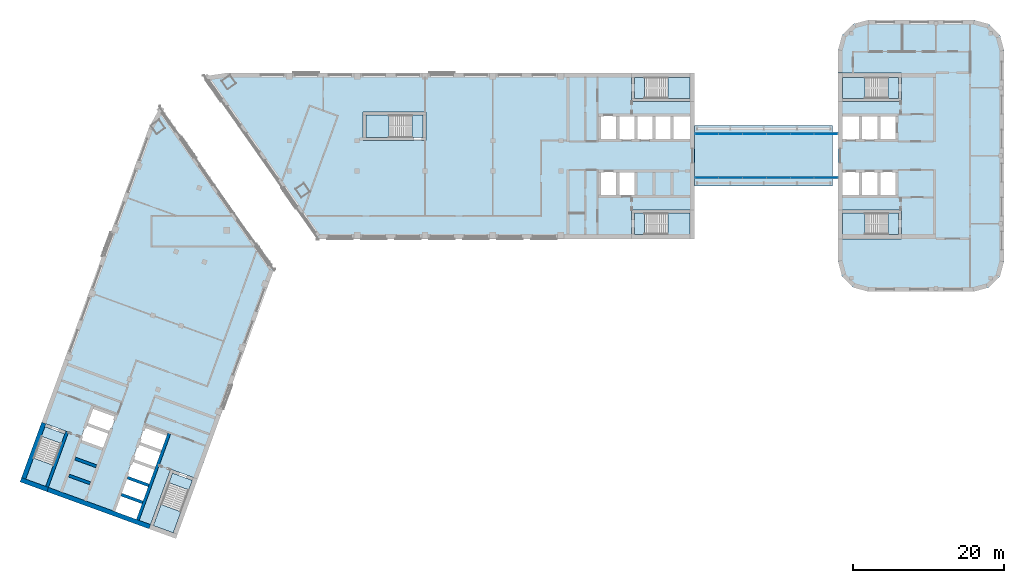
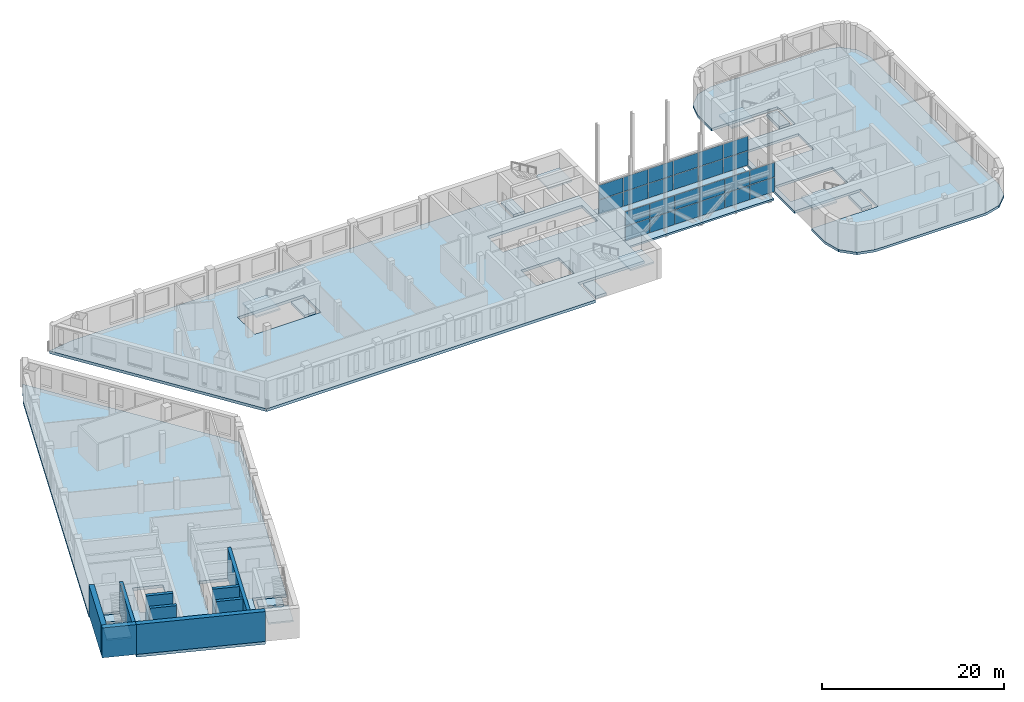
# One storey, part 3 of 11: 24 plates, 18 slabs, 9 walls, 9 elements without a shape of their own.
"""IFC4 building model written with IfcOpenShell, lengths in metres."""

from ifc_helpers import new_model, si_unit, direction, frame, frame_2d, origin, origin_2d, place, context, subcontext, project, spatial, polyline, rectangle, outline, extrude, material, layer, layer_set, type_object, element, aggregate, save


model = new_model("IFC4")

# Units and contexts
model_context = context("Model", 3, precision=1e-05, world=origin(), true_north=direction((0.0, 1.0)))
body_context = subcontext(model_context, "Body", "Model", "MODEL_VIEW")
ifc_project = project(units=[si_unit("LENGTHUNIT", "METRE"), si_unit("AREAUNIT", "SQUARE_METRE"), si_unit("VOLUMEUNIT", "CUBIC_METRE"), si_unit("PLANEANGLEUNIT", "RADIAN"), si_unit("MASSUNIT", "GRAM", prefix="KILO")], contexts=[model_context])

# Site, building, storey
site_placement = place(None, origin())
site = spatial("IfcSite", under=ifc_project, at=site_placement, CompositionType="ELEMENT")
building_placement = place(site_placement, origin())
building = spatial("IfcBuilding", under=site, at=building_placement, Name="Skarvind Civic Tower", CompositionType="ELEMENT")
storey_placement = place(building_placement, frame((0.0, 0.0, 109.0)))
storey = spatial("IfcBuildingStorey", under=building, at=storey_placement, Name="L25", CompositionType="ELEMENT", Elevation=109.0)

# Slab
ifc_material_1 = material(Name="Concrete C40", Category="concrete")
ifc_layer_1 = layer(ifc_material_1, 0.25)
ifc_layer_set_1 = layer_set([ifc_layer_1], Name="Bridge deck slab 250 C40")
slab_type_1 = type_object("IfcSlabType", Name="Bridge deck slab 250 C40", PredefinedType="FLOOR", material=ifc_layer_set_1)
slab_1_placement = place(storey_placement, frame((0.0, 0.0, -0.25)))
element("IfcSlab", 1, at=slab_1_placement, inside=storey, type_object=slab_type_1, Name="Link bridge BR2 deck slab", PredefinedType="FLOOR", context=body_context, shape_type="SweptSolid", body=[
    extrude(outline(polyline([(108.0, 124.0), (126.25, 124.0), (126.25, 132.0), (108.0, 132.0), (108.0, 124.0)])), origin(), (0.0, 0.0, 1.0), 0.25),
])

# Curtain wall, plate
ifc_material_2 = material(Name="Aluminium alloy 6063 and laminated glass", Category="aluminium")
curtain_wall_type = type_object("IfcCurtainWallType", Name="CW4 BRIDGE ENCLOSURE GLAZING", PredefinedType="NOTDEFINED", material=ifc_material_2)
curtain_wall_1_placement = place(storey_placement, origin())
curtain_wall_1 = element("IfcCurtainWall", 2, at=curtain_wall_1_placement, inside=storey, type_object=curtain_wall_type, Name="BRIDGE ENCLOSURE GLAZING", PredefinedType="NOTDEFINED")
ifc_material_3 = material(Name="Laminated low-iron glass", Category="glass")
ifc_layer_2 = layer(ifc_material_3, 0.028076171875)
ifc_layer_set_2 = layer_set([ifc_layer_2], Name="CW4 GLASS PANEL 28")
plate_type_1 = type_object("IfcPlateType", Name="CW4 GLASS PANEL 28", PredefinedType="CURTAIN_PANEL", material=ifc_layer_set_2)
plate_1_placement = place(storey_placement, frame((125.401611328125, 125.090087890625, 2.0302734375), z_axis=(0.0, 0.0, 1.0), x_axis=(-1.0, 0.0, 0.0)))
plate_1 = element("IfcPlate", 3, at=plate_1_placement, type_object=plate_type_1, Name="CW4 panel 1.2", PredefinedType="CURTAIN_PANEL", context=body_context, shape_type="SweptSolid", body=[
    extrude(rectangle(XDim=3.07666015625, YDim=0.028076171875, at=origin_2d()), origin(), (0.0, 0.0, 1.0), 1.909912109375),
])

curtain_wall_2_placement = place(storey_placement, origin())
curtain_wall_2 = element("IfcCurtainWall", 4, at=curtain_wall_2_placement, inside=storey, type_object=curtain_wall_type, Name="BRIDGE ENCLOSURE GLAZING", PredefinedType="NOTDEFINED")
plate_2_placement = place(storey_placement, frame((125.401611328125, 130.909912109375, 2.0302734375), z_axis=(0.0, 0.0, 1.0), x_axis=(1.0, 0.0, 0.0)))
plate_2 = element("IfcPlate", 5, at=plate_2_placement, type_object=plate_type_1, Name="CW4 panel 6.2", PredefinedType="CURTAIN_PANEL", context=body_context, shape_type="SweptSolid", body=[
    extrude(rectangle(XDim=3.07666015625, YDim=0.028076171875, at=origin_2d()), origin(), (0.0, 0.0, 1.0), 1.909912109375),
])

# Plate
ifc_material_4 = material(Name="Insulated aluminium spandrel panel", Category="aluminium")
ifc_layer_3 = layer(ifc_material_4, 0.06005859375)
ifc_layer_set_3 = layer_set([ifc_layer_3], Name="CW4 SPANDREL PANEL 60")
plate_type_2 = type_object("IfcPlateType", Name="CW4 SPANDREL PANEL 60", PredefinedType="CURTAIN_PANEL", material=ifc_layer_set_3)
plate_3_placement = place(storey_placement, frame((125.401611328125, 125.090087890625, 0.06005859375), z_axis=(0.0, 0.0, 1.0), x_axis=(-1.0, 0.0, 0.0)))
plate_3 = element("IfcPlate", 6, at=plate_3_placement, type_object=plate_type_2, Name="CW4 spandrel panel 1.1", PredefinedType="CURTAIN_PANEL", context=body_context, shape_type="SweptSolid", body=[
    extrude(rectangle(XDim=3.07666015625, YDim=0.06005859375, at=origin_2d()), origin(), (0.0, 0.0, 1.0), 1.909912109375),
])

plate_4_placement = place(storey_placement, frame((122.25, 125.090087890625, 0.06005859375), z_axis=(0.0, 0.0, 1.0), x_axis=(-1.0, 0.0, 0.0)))
plate_4 = element("IfcPlate", 7, at=plate_4_placement, type_object=plate_type_2, Name="CW4 spandrel panel 2.1", PredefinedType="CURTAIN_PANEL", context=body_context, shape_type="SweptSolid", body=[
    extrude(rectangle(XDim=3.106689453125, YDim=0.06005859375, at=origin_2d()), origin(), (0.0, 0.0, 1.0), 1.909912109375),
])

plate_5_placement = place(storey_placement, frame((122.25, 125.090087890625, 2.0302734375), z_axis=(0.0, 0.0, 1.0), x_axis=(-1.0, 0.0, 0.0)))
plate_5 = element("IfcPlate", 8, at=plate_5_placement, type_object=plate_type_2, Name="CW4 spandrel panel 2.2", PredefinedType="CURTAIN_PANEL", context=body_context, shape_type="SweptSolid", body=[
    extrude(rectangle(XDim=3.106689453125, YDim=0.06005859375, at=origin_2d()), origin(), (0.0, 0.0, 1.0), 1.909912109375),
])

plate_6_placement = place(storey_placement, frame((119.083251953125, 125.090087890625, 0.06005859375), z_axis=(0.0, 0.0, 1.0), x_axis=(-1.0, 0.0, 0.0)))
plate_6 = element("IfcPlate", 9, at=plate_6_placement, type_object=plate_type_2, Name="CW4 spandrel panel 3.1", PredefinedType="CURTAIN_PANEL", context=body_context, shape_type="SweptSolid", body=[
    extrude(rectangle(XDim=3.106689453125, YDim=0.06005859375, at=origin_2d()), origin(), (0.0, 0.0, 1.0), 1.909912109375),
])

plate_7_placement = place(storey_placement, frame((119.083251953125, 125.090087890625, 2.0302734375), z_axis=(0.0, 0.0, 1.0), x_axis=(-1.0, 0.0, 0.0)))
plate_7 = element("IfcPlate", 10, at=plate_7_placement, type_object=plate_type_2, Name="CW4 spandrel panel 3.2", PredefinedType="CURTAIN_PANEL", context=body_context, shape_type="SweptSolid", body=[
    extrude(rectangle(XDim=3.106689453125, YDim=0.06005859375, at=origin_2d()), origin(), (0.0, 0.0, 1.0), 1.909912109375),
])

plate_8_placement = place(storey_placement, frame((115.916748046875, 125.090087890625, 0.06005859375), z_axis=(0.0, 0.0, 1.0), x_axis=(-1.0, 0.0, 0.0)))
plate_8 = element("IfcPlate", 11, at=plate_8_placement, type_object=plate_type_2, Name="CW4 spandrel panel 4.1", PredefinedType="CURTAIN_PANEL", context=body_context, shape_type="SweptSolid", body=[
    extrude(rectangle(XDim=3.106689453125, YDim=0.06005859375, at=origin_2d()), origin(), (0.0, 0.0, 1.0), 1.909912109375),
])

plate_9_placement = place(storey_placement, frame((115.916748046875, 125.090087890625, 2.0302734375), z_axis=(0.0, 0.0, 1.0), x_axis=(-1.0, 0.0, 0.0)))
plate_9 = element("IfcPlate", 12, at=plate_9_placement, type_object=plate_type_2, Name="CW4 spandrel panel 4.2", PredefinedType="CURTAIN_PANEL", context=body_context, shape_type="SweptSolid", body=[
    extrude(rectangle(XDim=3.106689453125, YDim=0.06005859375, at=origin_2d()), origin(), (0.0, 0.0, 1.0), 1.909912109375),
])

plate_10_placement = place(storey_placement, frame((112.75, 125.090087890625, 0.06005859375), z_axis=(0.0, 0.0, 1.0), x_axis=(-1.0, 0.0, 0.0)))
plate_10 = element("IfcPlate", 13, at=plate_10_placement, type_object=plate_type_2, Name="CW4 spandrel panel 5.1", PredefinedType="CURTAIN_PANEL", context=body_context, shape_type="SweptSolid", body=[
    extrude(rectangle(XDim=3.106689453125, YDim=0.06005859375, at=origin_2d()), origin(), (0.0, 0.0, 1.0), 1.909912109375),
])

plate_11_placement = place(storey_placement, frame((112.75, 125.090087890625, 2.0302734375), z_axis=(0.0, 0.0, 1.0), x_axis=(-1.0, 0.0, 0.0)))
plate_11 = element("IfcPlate", 14, at=plate_11_placement, type_object=plate_type_2, Name="CW4 spandrel panel 5.2", PredefinedType="CURTAIN_PANEL", context=body_context, shape_type="SweptSolid", body=[
    extrude(rectangle(XDim=3.106689453125, YDim=0.06005859375, at=origin_2d()), origin(), (0.0, 0.0, 1.0), 1.909912109375),
])

plate_12_placement = place(storey_placement, frame((109.598388671875, 125.090087890625, 0.06005859375), z_axis=(0.0, 0.0, 1.0), x_axis=(-1.0, 0.0, 0.0)))
plate_12 = element("IfcPlate", 15, at=plate_12_placement, type_object=plate_type_2, Name="CW4 spandrel panel 6.1", PredefinedType="CURTAIN_PANEL", context=body_context, shape_type="SweptSolid", body=[
    extrude(rectangle(XDim=3.07666015625, YDim=0.06005859375, at=origin_2d()), origin(), (0.0, 0.0, 1.0), 1.909912109375),
])

plate_13_placement = place(storey_placement, frame((109.598388671875, 125.090087890625, 2.0302734375), z_axis=(0.0, 0.0, 1.0), x_axis=(-1.0, 0.0, 0.0)))
plate_13 = element("IfcPlate", 16, at=plate_13_placement, type_object=plate_type_2, Name="CW4 spandrel panel 6.2", PredefinedType="CURTAIN_PANEL", context=body_context, shape_type="SweptSolid", body=[
    extrude(rectangle(XDim=3.07666015625, YDim=0.06005859375, at=origin_2d()), origin(), (0.0, 0.0, 1.0), 1.909912109375),
])

aggregate(curtain_wall_1, [plate_3, plate_1, plate_4, plate_5, plate_6, plate_7, plate_8, plate_9, plate_10, plate_11, plate_12, plate_13])

plate_14_placement = place(storey_placement, frame((109.598388671875, 130.909912109375, 0.06005859375), z_axis=(0.0, 0.0, 1.0), x_axis=(1.0, 0.0, 0.0)))
plate_14 = element("IfcPlate", 17, at=plate_14_placement, type_object=plate_type_2, Name="CW4 spandrel panel 1.1", PredefinedType="CURTAIN_PANEL", context=body_context, shape_type="SweptSolid", body=[
    extrude(rectangle(XDim=3.07666015625, YDim=0.06005859375, at=origin_2d()), origin(), (0.0, 0.0, 1.0), 1.909912109375),
])

plate_15_placement = place(storey_placement, frame((109.598388671875, 130.909912109375, 2.0302734375), z_axis=(0.0, 0.0, 1.0), x_axis=(1.0, 0.0, 0.0)))
plate_15 = element("IfcPlate", 18, at=plate_15_placement, type_object=plate_type_2, Name="CW4 spandrel panel 1.2", PredefinedType="CURTAIN_PANEL", context=body_context, shape_type="SweptSolid", body=[
    extrude(rectangle(XDim=3.07666015625, YDim=0.06005859375, at=origin_2d()), origin(), (0.0, 0.0, 1.0), 1.909912109375),
])

plate_16_placement = place(storey_placement, frame((112.75, 130.909912109375, 0.06005859375), z_axis=(0.0, 0.0, 1.0), x_axis=(1.0, 0.0, 0.0)))
plate_16 = element("IfcPlate", 19, at=plate_16_placement, type_object=plate_type_2, Name="CW4 spandrel panel 2.1", PredefinedType="CURTAIN_PANEL", context=body_context, shape_type="SweptSolid", body=[
    extrude(rectangle(XDim=3.106689453125, YDim=0.06005859375, at=origin_2d()), origin(), (0.0, 0.0, 1.0), 1.909912109375),
])

plate_17_placement = place(storey_placement, frame((112.75, 130.909912109375, 2.0302734375), z_axis=(0.0, 0.0, 1.0), x_axis=(1.0, 0.0, 0.0)))
plate_17 = element("IfcPlate", 20, at=plate_17_placement, type_object=plate_type_2, Name="CW4 spandrel panel 2.2", PredefinedType="CURTAIN_PANEL", context=body_context, shape_type="SweptSolid", body=[
    extrude(rectangle(XDim=3.106689453125, YDim=0.06005859375, at=origin_2d()), origin(), (0.0, 0.0, 1.0), 1.909912109375),
])

plate_18_placement = place(storey_placement, frame((115.916748046875, 130.909912109375, 0.06005859375), z_axis=(0.0, 0.0, 1.0), x_axis=(1.0, 0.0, 0.0)))
plate_18 = element("IfcPlate", 21, at=plate_18_placement, type_object=plate_type_2, Name="CW4 spandrel panel 3.1", PredefinedType="CURTAIN_PANEL", context=body_context, shape_type="SweptSolid", body=[
    extrude(rectangle(XDim=3.106689453125, YDim=0.06005859375, at=origin_2d()), origin(), (0.0, 0.0, 1.0), 1.909912109375),
])

plate_19_placement = place(storey_placement, frame((115.916748046875, 130.909912109375, 2.0302734375), z_axis=(0.0, 0.0, 1.0), x_axis=(1.0, 0.0, 0.0)))
plate_19 = element("IfcPlate", 22, at=plate_19_placement, type_object=plate_type_2, Name="CW4 spandrel panel 3.2", PredefinedType="CURTAIN_PANEL", context=body_context, shape_type="SweptSolid", body=[
    extrude(rectangle(XDim=3.106689453125, YDim=0.06005859375, at=origin_2d()), origin(), (0.0, 0.0, 1.0), 1.909912109375),
])

plate_20_placement = place(storey_placement, frame((119.083251953125, 130.909912109375, 0.06005859375), z_axis=(0.0, 0.0, 1.0), x_axis=(1.0, 0.0, 0.0)))
plate_20 = element("IfcPlate", 23, at=plate_20_placement, type_object=plate_type_2, Name="CW4 spandrel panel 4.1", PredefinedType="CURTAIN_PANEL", context=body_context, shape_type="SweptSolid", body=[
    extrude(rectangle(XDim=3.106689453125, YDim=0.06005859375, at=origin_2d()), origin(), (0.0, 0.0, 1.0), 1.909912109375),
])

plate_21_placement = place(storey_placement, frame((119.083251953125, 130.909912109375, 2.0302734375), z_axis=(0.0, 0.0, 1.0), x_axis=(1.0, 0.0, 0.0)))
plate_21 = element("IfcPlate", 24, at=plate_21_placement, type_object=plate_type_2, Name="CW4 spandrel panel 4.2", PredefinedType="CURTAIN_PANEL", context=body_context, shape_type="SweptSolid", body=[
    extrude(rectangle(XDim=3.106689453125, YDim=0.06005859375, at=origin_2d()), origin(), (0.0, 0.0, 1.0), 1.909912109375),
])

plate_22_placement = place(storey_placement, frame((122.25, 130.909912109375, 0.06005859375), z_axis=(0.0, 0.0, 1.0), x_axis=(1.0, 0.0, 0.0)))
plate_22 = element("IfcPlate", 25, at=plate_22_placement, type_object=plate_type_2, Name="CW4 spandrel panel 5.1", PredefinedType="CURTAIN_PANEL", context=body_context, shape_type="SweptSolid", body=[
    extrude(rectangle(XDim=3.106689453125, YDim=0.06005859375, at=origin_2d()), origin(), (0.0, 0.0, 1.0), 1.909912109375),
])

plate_23_placement = place(storey_placement, frame((122.25, 130.909912109375, 2.0302734375), z_axis=(0.0, 0.0, 1.0), x_axis=(1.0, 0.0, 0.0)))
plate_23 = element("IfcPlate", 26, at=plate_23_placement, type_object=plate_type_2, Name="CW4 spandrel panel 5.2", PredefinedType="CURTAIN_PANEL", context=body_context, shape_type="SweptSolid", body=[
    extrude(rectangle(XDim=3.106689453125, YDim=0.06005859375, at=origin_2d()), origin(), (0.0, 0.0, 1.0), 1.909912109375),
])

plate_24_placement = place(storey_placement, frame((125.401611328125, 130.909912109375, 0.06005859375), z_axis=(0.0, 0.0, 1.0), x_axis=(1.0, 0.0, 0.0)))
plate_24 = element("IfcPlate", 27, at=plate_24_placement, type_object=plate_type_2, Name="CW4 spandrel panel 6.1", PredefinedType="CURTAIN_PANEL", context=body_context, shape_type="SweptSolid", body=[
    extrude(rectangle(XDim=3.07666015625, YDim=0.06005859375, at=origin_2d()), origin(), (0.0, 0.0, 1.0), 1.909912109375),
])

aggregate(curtain_wall_2, [plate_14, plate_15, plate_16, plate_17, plate_18, plate_19, plate_20, plate_21, plate_22, plate_23, plate_24, plate_2])

# Slabs
ifc_material_5 = material(Name="Concrete C50", Category="concrete")
ifc_layer_4 = layer(ifc_material_5, 0.375)
ifc_layer_set_4 = layer_set([ifc_layer_4], Name="Floor slab 375 C50")
slab_type_2 = type_object("IfcSlabType", Name="Floor slab 375 C50", PredefinedType="FLOOR", material=ifc_layer_set_4)
slab_2_placement = place(storey_placement, frame((0.0, 0.0, -0.375)))
element("IfcSlab", 28, at=slab_2_placement, inside=storey, type_object=slab_type_2, Name="Floor slab L25 1", PredefinedType="FLOOR", context=body_context, shape_type="SweptSolid", body=[
    extrude(outline(polyline([(108.0, 135.199951171875), (99.60009765625, 135.199951171875), (99.60009765625, 139.0), (46.095458984375, 139.0), (42.90283203125, 138.525146484375), (57.97509765625, 117.0), (99.60009765625, 117.0), (99.60009765625, 120.800048828125), (108.0, 120.800048828125), (108.0, 135.199951171875)]), holes=[polyline([(97.800048828125, 126.0), (100.199951171875, 126.0), (100.199951171875, 122.60009765625), (97.800048828125, 122.60009765625), (95.39990234375, 122.60009765625), (95.39990234375, 126.0), (97.800048828125, 126.0)]), polyline([(102.60009765625, 133.39990234375), (105.0, 133.39990234375), (107.39990234375, 133.39990234375), (107.39990234375, 130.0), (105.0, 130.0), (102.60009765625, 130.0), (100.199951171875, 130.0), (97.800048828125, 130.0), (95.39990234375, 130.0), (95.39990234375, 133.39990234375), (97.800048828125, 133.39990234375), (100.199951171875, 133.39990234375), (102.60009765625, 133.39990234375)]), polyline([(64.0, 133.800048828125), (72.39990234375, 133.800048828125), (72.39990234375, 130.0), (64.0, 130.0), (64.0, 133.800048828125)])]), origin(), (0.0, 0.0, 1.0), 0.375),
])
slab_3_placement = place(storey_placement, frame((0.0, 0.0, -0.375)))
element("IfcSlab", 29, at=slab_3_placement, inside=storey, type_object=slab_type_2, Name="Floor slab L25 2", PredefinedType="FLOOR", context=body_context, shape_type="SweptSolid", body=[
    extrude(outline(polyline([(36.886474609375, 78.108154296875), (35.664794921875, 78.552734375), (38.53759765625, 86.4462890625), (42.108642578125, 85.146484375), (40.0908203125, 79.602294921875), (40.0908203125, 79.602294921875), (52.240966796875, 112.985107421875), (37.168701171875, 134.51025390625), (35.630615234375, 131.672607421875), (19.41748046875, 87.126708984375), (21.435302734375, 92.6708984375), (25.006103515625, 91.371337890625), (22.13330078125, 83.477783203125), (36.886474609375, 78.108154296875)]), holes=[polyline([(32.625244140625, 85.40576171875), (33.446044921875, 87.660888671875), (34.26708984375, 89.916259765625), (35.087890625, 92.17138671875), (38.28271484375, 91.008544921875), (37.4619140625, 88.75341796875), (36.64111328125, 86.498046875), (35.8203125, 84.242919921875), (35.8203125, 84.242919921875), (34.99951171875, 81.987548828125), (34.178466796875, 79.732421875), (30.983642578125, 80.89501953125), (31.804443359375, 83.150390625), (32.625244140625, 85.40576171875), (32.625244140625, 85.40576171875)]), polyline([(28.134033203125, 94.702392578125), (31.3291015625, 93.53955078125), (30.50830078125, 91.2841796875), (29.6875, 89.029052734375), (26.492431640625, 90.19189453125), (27.313232421875, 92.447021484375), (28.134033203125, 94.702392578125)])]), origin(), (0.0, 0.0, 1.0), 0.375),
])
ifc_layer_5 = layer(ifc_material_5, 0.324951171875)
ifc_layer_set_5 = layer_set([ifc_layer_5], Name="Second tower floor slab 325 C50")
slab_type_3 = type_object("IfcSlabType", Name="Second tower floor slab 325 C50", PredefinedType="FLOOR", material=ifc_layer_set_5)
slab_4_placement = place(storey_placement, frame((0.0, 0.0, -0.324951171875)))
element("IfcSlab", 30, at=slab_4_placement, inside=storey, type_object=slab_type_3, Name="Floor slab L25 1", PredefinedType="FLOOR", context=body_context, shape_type="SweptSolid", body=[
    extrude(outline(polyline([(127.0, 139.0), (135.39990234375, 139.0), (135.39990234375, 135.199951171875), (127.0, 135.199951171875), (127.0, 120.800048828125), (135.39990234375, 120.800048828125), (135.39990234375, 117.0), (127.0, 117.0), (127.0, 114.0), (127.535888671875, 112.0), (129.0, 110.535888671875), (131.0, 110.0), (145.0, 110.0), (147.0, 110.535888671875), (148.464111328125, 112.0), (149.0, 114.0), (149.0, 142.0), (148.464111328125, 144.0), (147.0, 145.464111328125), (145.0, 146.0), (131.0, 146.0), (129.0, 145.464111328125), (127.535888671875, 144.0), (127.0, 142.0), (127.0, 139.0)]), holes=[polyline([(132.39990234375, 126.0), (134.800048828125, 126.0), (134.800048828125, 122.60009765625), (132.39990234375, 122.60009765625), (130.0, 122.60009765625), (127.60009765625, 122.60009765625), (127.60009765625, 126.0), (130.0, 126.0), (132.39990234375, 126.0)]), polyline([(130.0, 133.39990234375), (132.39990234375, 133.39990234375), (134.800048828125, 133.39990234375), (134.800048828125, 130.0), (132.39990234375, 130.0), (130.0, 130.0), (127.60009765625, 130.0), (127.60009765625, 133.39990234375), (130.0, 133.39990234375)])]), origin(), (0.0, 0.0, 1.0), 0.324951171875),
])
ifc_material_6 = material(Name="Concrete C40/50", Category="concrete")
ifc_layer_6 = layer(ifc_material_6, 0.375)
ifc_layer_set_6 = layer_set([ifc_layer_6], Name="Stair floor landing slab 375")
slab_type_4 = type_object("IfcSlabType", Name="Stair floor landing slab 375", PredefinedType="LANDING", material=ifc_layer_set_6)
slab_5_placement = place(storey_placement, frame((0.0, 0.0, -0.375)))
element("IfcSlab", 31, at=slab_5_placement, inside=storey, type_object=slab_type_4, Name="Stair floor landing", PredefinedType="LANDING", context=body_context, shape_type="SweptSolid", body=[
    extrude(outline(polyline([(101.3505859375, 138.400634765625), (101.3505859375, 135.599365234375), (99.99951171875, 135.599365234375), (99.99951171875, 138.400634765625), (101.3505859375, 138.400634765625)])), origin(), (0.0, 0.0, 1.0), 0.375),
])
slab_6_placement = place(storey_placement, frame((0.0, 0.0, -0.375)))
element("IfcSlab", 32, at=slab_6_placement, inside=storey, type_object=slab_type_4, Name="Stair floor landing", PredefinedType="LANDING", context=body_context, shape_type="SweptSolid", body=[
    extrude(outline(polyline([(101.3505859375, 120.400634765625), (101.3505859375, 117.599365234375), (99.99951171875, 117.599365234375), (99.99951171875, 120.400634765625), (101.3505859375, 120.400634765625)])), origin(), (0.0, 0.0, 1.0), 0.375),
])
slab_7_placement = place(storey_placement, frame((0.0, 0.0, -0.375)))
element("IfcSlab", 33, at=slab_7_placement, inside=storey, type_object=slab_type_4, Name="Stair floor landing", PredefinedType="LANDING", context=body_context, shape_type="SweptSolid", body=[
    extrude(outline(polyline([(40.946533203125, 83.70654296875), (38.314208984375, 84.66455078125), (38.7763671875, 85.934326171875), (41.40869140625, 84.976318359375), (40.946533203125, 83.70654296875)])), origin(), (0.0, 0.0, 1.0), 0.375),
])
slab_8_placement = place(storey_placement, frame((0.0, 0.0, -0.375)))
element("IfcSlab", 34, at=slab_8_placement, inside=storey, type_object=slab_type_4, Name="Stair floor landing", PredefinedType="LANDING", context=body_context, shape_type="SweptSolid", body=[
    extrude(outline(polyline([(24.0322265625, 89.863037109375), (21.39990234375, 90.821044921875), (21.862060546875, 92.090576171875), (24.494384765625, 91.132568359375), (24.0322265625, 89.863037109375)])), origin(), (0.0, 0.0, 1.0), 0.375),
])
slab_9_placement = place(storey_placement, frame((0.0, 0.0, -0.375)))
element("IfcSlab", 35, at=slab_9_placement, inside=storey, type_object=slab_type_4, Name="Stair floor landing", PredefinedType="LANDING", context=body_context, shape_type="SweptSolid", body=[
    extrude(outline(polyline([(133.6494140625, 117.599365234375), (133.6494140625, 120.400634765625), (135.00048828125, 120.400634765625), (135.00048828125, 117.599365234375), (133.6494140625, 117.599365234375)])), origin(), (0.0, 0.0, 1.0), 0.375),
])
slab_10_placement = place(storey_placement, frame((0.0, 0.0, -0.375)))
element("IfcSlab", 36, at=slab_10_placement, inside=storey, type_object=slab_type_4, Name="Stair floor landing", PredefinedType="LANDING", context=body_context, shape_type="SweptSolid", body=[
    extrude(outline(polyline([(133.6494140625, 135.599365234375), (133.6494140625, 138.400634765625), (135.00048828125, 138.400634765625), (135.00048828125, 135.599365234375), (133.6494140625, 135.599365234375)])), origin(), (0.0, 0.0, 1.0), 0.375),
])
slab_11_placement = place(storey_placement, frame((0.0, 0.0, -0.375)))
element("IfcSlab", 37, at=slab_11_placement, inside=storey, type_object=slab_type_4, Name="Stair floor landing", PredefinedType="LANDING", context=body_context, shape_type="SweptSolid", body=[
    extrude(outline(polyline([(70.54931640625, 130.3994140625), (70.54931640625, 133.400634765625), (72.00048828125, 133.400634765625), (72.00048828125, 130.3994140625), (70.54931640625, 130.3994140625)])), origin(), (0.0, 0.0, 1.0), 0.375),
])

# Stair, slab
stair_type_1 = type_object("IfcStairType", Name="Exit stair, half-turn, concrete", PredefinedType="HALF_TURN_STAIR", material=ifc_material_6)
stair_1_placement = place(storey_placement, origin())
stair_1 = element("IfcStair", 38, at=stair_1_placement, inside=storey, type_object=stair_type_1, Name="Exit stair C1S", PredefinedType="HALF_TURN_STAIR")
ifc_layer_7 = layer(ifc_material_6, 0.199951171875)
ifc_layer_set_7 = layer_set([ifc_layer_7], Name="Stair half landing slab")
slab_type_5 = type_object("IfcSlabType", Name="Stair half landing slab", PredefinedType="LANDING", material=ifc_layer_set_7)
slab_12_placement = place(storey_placement, frame((0.0, 0.0, 1.800048828125)))
slab_12 = element("IfcSlab", 39, at=slab_12_placement, type_object=slab_type_5, Name="ST-C1S landing 1", PredefinedType="LANDING", context=body_context, shape_type="SweptSolid", body=[
    extrude(outline(polyline([(104.429443359375, 135.599365234375), (104.429443359375, 138.400634765625), (107.400634765625, 138.400634765625), (107.400634765625, 135.599365234375), (104.429443359375, 135.599365234375)])), origin(), (0.0, 0.0, 1.0), 0.199951171875),
])
aggregate(stair_1, [slab_12])

stair_2_placement = place(storey_placement, origin())
stair_2 = element("IfcStair", 40, at=stair_2_placement, inside=storey, type_object=stair_type_1, Name="Exit stair C1N", PredefinedType="HALF_TURN_STAIR")
slab_13_placement = place(storey_placement, frame((0.0, 0.0, 1.800048828125)))
slab_13 = element("IfcSlab", 41, at=slab_13_placement, type_object=slab_type_5, Name="ST-C1N landing 1", PredefinedType="LANDING", context=body_context, shape_type="SweptSolid", body=[
    extrude(outline(polyline([(104.429443359375, 117.599365234375), (104.429443359375, 120.400634765625), (107.400634765625, 120.400634765625), (107.400634765625, 117.599365234375), (104.429443359375, 117.599365234375)])), origin(), (0.0, 0.0, 1.0), 0.199951171875),
])
aggregate(stair_2, [slab_13])

stair_3_placement = place(storey_placement, origin())
stair_3 = element("IfcStair", 42, at=stair_3_placement, inside=storey, type_object=stair_type_1, Name="Exit stair C2S", PredefinedType="HALF_TURN_STAIR")
slab_14_placement = place(storey_placement, frame((0.0, 0.0, 1.800048828125)))
slab_14 = element("IfcSlab", 43, at=slab_14_placement, type_object=slab_type_5, Name="ST-C2S landing 1", PredefinedType="LANDING", context=body_context, shape_type="SweptSolid", body=[
    extrude(outline(polyline([(37.26123046875, 81.771484375), (39.8935546875, 80.8134765625), (38.87744140625, 78.021484375), (36.2451171875, 78.9794921875), (37.26123046875, 81.771484375)])), origin(), (0.0, 0.0, 1.0), 0.199951171875),
])
aggregate(stair_3, [slab_14])

stair_4_placement = place(storey_placement, origin())
stair_4 = element("IfcStair", 44, at=stair_4_placement, inside=storey, type_object=stair_type_1, Name="Exit stair C2N", PredefinedType="HALF_TURN_STAIR")
slab_15_placement = place(storey_placement, frame((0.0, 0.0, 1.800048828125)))
slab_15 = element("IfcSlab", 45, at=slab_15_placement, type_object=slab_type_5, Name="ST-C2N landing 1", PredefinedType="LANDING", context=body_context, shape_type="SweptSolid", body=[
    extrude(outline(polyline([(20.346923828125, 87.927734375), (22.97900390625, 86.9697265625), (21.962890625, 84.177734375), (19.33056640625, 85.1357421875), (20.346923828125, 87.927734375)])), origin(), (0.0, 0.0, 1.0), 0.199951171875),
])
aggregate(stair_4, [slab_15])

stair_5_placement = place(storey_placement, origin())
stair_5 = element("IfcStair", 46, at=stair_5_placement, inside=storey, type_object=stair_type_1, Name="Exit stair CAS", PredefinedType="HALF_TURN_STAIR")
slab_16_placement = place(storey_placement, frame((0.0, 0.0, 1.800048828125)))
slab_16 = element("IfcSlab", 47, at=slab_16_placement, type_object=slab_type_5, Name="ST-CAS landing 1", PredefinedType="LANDING", context=body_context, shape_type="SweptSolid", body=[
    extrude(outline(polyline([(130.570556640625, 120.400634765625), (130.570556640625, 117.599365234375), (127.599365234375, 117.599365234375), (127.599365234375, 120.400634765625), (130.570556640625, 120.400634765625)])), origin(), (0.0, 0.0, 1.0), 0.199951171875),
])
aggregate(stair_5, [slab_16])

stair_6_placement = place(storey_placement, origin())
stair_6 = element("IfcStair", 48, at=stair_6_placement, inside=storey, type_object=stair_type_1, Name="Exit stair CAN", PredefinedType="HALF_TURN_STAIR")
slab_17_placement = place(storey_placement, frame((0.0, 0.0, 1.800048828125)))
slab_17 = element("IfcSlab", 49, at=slab_17_placement, type_object=slab_type_5, Name="ST-CAN landing 1", PredefinedType="LANDING", context=body_context, shape_type="SweptSolid", body=[
    extrude(outline(polyline([(130.570556640625, 138.400634765625), (130.570556640625, 135.599365234375), (127.599365234375, 135.599365234375), (127.599365234375, 138.400634765625), (130.570556640625, 138.400634765625)])), origin(), (0.0, 0.0, 1.0), 0.199951171875),
])
aggregate(stair_6, [slab_17])

stair_type_2 = type_object("IfcStairType", Name="Exit stair 1450, half-turn, concrete", PredefinedType="HALF_TURN_STAIR", material=ifc_material_6)
stair_7_placement = place(storey_placement, origin())
stair_7 = element("IfcStair", 50, at=stair_7_placement, inside=storey, type_object=stair_type_2, Name="Exit stair CM", PredefinedType="HALF_TURN_STAIR")
slab_18_placement = place(storey_placement, frame((0.0, 0.0, 1.800048828125)))
slab_18 = element("IfcSlab", 51, at=slab_18_placement, type_object=slab_type_5, Name="ST-CM landing 1", PredefinedType="LANDING", context=body_context, shape_type="SweptSolid", body=[
    extrude(outline(polyline([(67.470703125, 133.400634765625), (67.470703125, 130.3994140625), (64.3994140625, 130.3994140625), (64.3994140625, 133.400634765625), (67.470703125, 133.400634765625)])), origin(), (0.0, 0.0, 1.0), 0.199951171875),
])
aggregate(stair_7, [slab_18])

# Walls
ifc_material_7 = material(Name="Concrete C80", Category="concrete")
ifc_layer_8 = layer(ifc_material_7, 0.39990234375)
ifc_layer_set_8 = layer_set([ifc_layer_8], Name="Core wall 400 C80")
wall_type_1 = type_object("IfcWallType", Name="Core wall 400 C80", PredefinedType="SHEAR", material=ifc_layer_set_8)
wall_1_placement = place(storey_placement, frame((22.150390625, 84.110107421875, 0.0), z_axis=(0.0, 0.0, 1.0), x_axis=(0.342016982193, 0.939693771338, 0.0)))
element("IfcWall", 52, at=wall_1_placement, inside=storey, type_object=wall_type_1, Name="Core wall C2 north stair inner L25", PredefinedType="SHEAR", context=body_context, shape_type="SweptSolid", body=[
    extrude(rectangle(XDim=7.800048828125, YDim=0.39990234375, at=frame_2d((3.89990234375, 0.0))), origin(), (0.0, 0.0, 1.0), 4.0),
])
wall_2_placement = place(storey_placement, frame((34.178466796875, 79.732177734375, 0.0), z_axis=(0.0, 0.0, 1.0), x_axis=(0.342014590177, 0.939694641948, 0.0)))
element("IfcWall", 53, at=wall_2_placement, inside=storey, type_object=wall_type_1, Name="Core wall C2 south lift row back L25", PredefinedType="SHEAR", context=body_context, shape_type="SweptSolid", body=[
    extrude(rectangle(XDim=12.2001953125, YDim=0.39990234375, at=frame_2d((6.10009765625, 0.0))), origin(), (0.0, 0.0, 1.0), 4.0),
])
for number, where, z_axis, x_axis, name in (
    (54, (34.8115234375, 82.055908203125, 0.0), (0.0, 0.0, 1.0), (-0.939686455819, 0.342037080957, 0.0), "Core wall C2 south lift row division 1 L25"),
    (55, (35.63232421875, 84.311279296875, 0.0), (0.0, 0.0, 1.0), (-0.939712609717, 0.341965219194, 0.0), "Core wall C2 south lift row division 2 L25"),
    (56, (27.857666015625, 84.5869140625, 0.0), (0.0, 0.0, 1.0), (-0.939686455819, 0.342037080957, 0.0), "Core wall C2 north lift row division 1 L25"),
):
    element("IfcWall", number, at=place(storey_placement, frame(where, z_axis=z_axis, x_axis=x_axis)), inside=storey, type_object=wall_type_1, Name=name, PredefinedType="SHEAR", context=body_context, shape_type="SweptSolid", body=[
        extrude(rectangle(XDim=3.0, YDim=0.39990234375, at=frame_2d((1.5, 0.0))), origin(), (0.0, 0.0, 1.0), 4.0),
    ])
wall_3_placement = place(storey_placement, frame((28.678466796875, 86.842041015625, 0.0), z_axis=(0.0, 0.0, 1.0), x_axis=(-0.939676934218, 0.342063238742, 0.0)))
element("IfcWall", 57, at=wall_3_placement, inside=storey, type_object=wall_type_1, Name="Core wall C2 north lift row division 2 L25", PredefinedType="SHEAR", context=body_context, shape_type="SweptSolid", body=[
    extrude(rectangle(XDim=2.999755859375, YDim=0.39990234375, at=frame_2d((1.5, 0.0))), origin(), (0.0, 0.0, 1.0), 4.0),
])
ifc_layer_9 = layer(ifc_material_7, 0.60009765625)
ifc_layer_set_9 = layer_set([ifc_layer_9], Name="Core wall 600 C80")
wall_type_2 = type_object("IfcWallType", Name="Core wall 600 C80", PredefinedType="SHEAR", material=ifc_layer_set_9)
wall_4_placement = place(storey_placement, frame((35.767333984375, 78.834716796875, 0.0), z_axis=(0.0, 0.0, 1.0), x_axis=(-0.939692894512, 0.342019391267, 0.0)))
element("IfcWall", 58, at=wall_4_placement, inside=storey, type_object=wall_type_2, Name="Core wall C2 tip between the stairs L25", PredefinedType="SHEAR", context=body_context, shape_type="SweptSolid", body=[
    extrude(rectangle(XDim=14.39990234375, YDim=0.60009765625, at=frame_2d((7.199951171875, 0.0))), origin(), (0.0, 0.0, 1.0), 4.0),
])
wall_5_placement = place(storey_placement, frame((22.23583984375, 83.759765625, 0.0), z_axis=(0.0, 0.0, 1.0), x_axis=(-0.939680822529, 0.342052557032, 0.0)))
element("IfcWall", 59, at=wall_5_placement, inside=storey, type_object=wall_type_2, Name="Core wall C2 tip at the north stair L25", PredefinedType="SHEAR", context=body_context, shape_type="SweptSolid", body=[
    extrude(rectangle(XDim=3.800048828125, YDim=0.60009765625, at=frame_2d((1.89990234375, 0.0))), origin(), (0.0, 0.0, 1.0), 4.0),
])
wall_6_placement = place(storey_placement, frame((19.049560546875, 85.23876953125, 0.0), z_axis=(0.0, 0.0, 1.0), x_axis=(0.342016982193, 0.939693771338, 0.0)))
element("IfcWall", 60, at=wall_6_placement, inside=storey, type_object=wall_type_2, Name="Core wall C2 north side at the stair L25", PredefinedType="SHEAR", context=body_context, shape_type="SweptSolid", body=[
    extrude(rectangle(XDim=7.800048828125, YDim=0.60009765625, at=frame_2d((3.89990234375, 0.0))), origin(), (0.0, 0.0, 1.0), 4.0),
])

save(model, "model.ifc")
